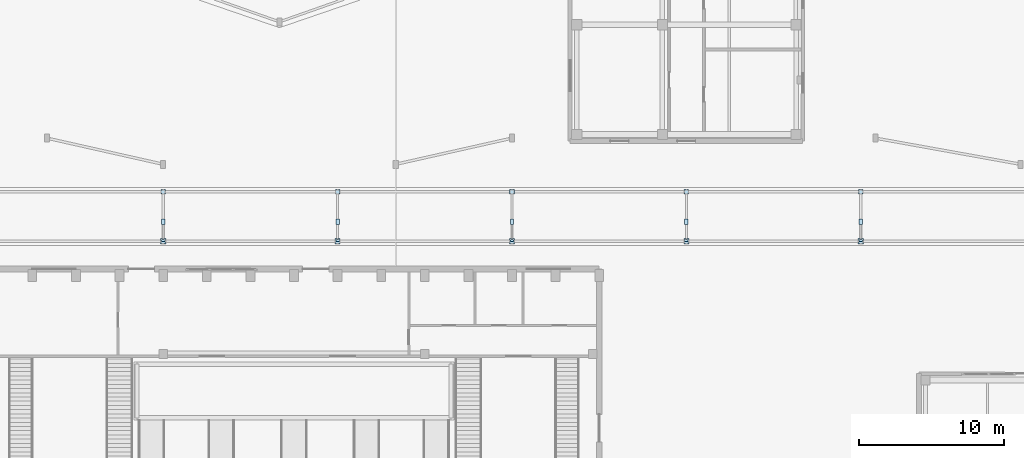
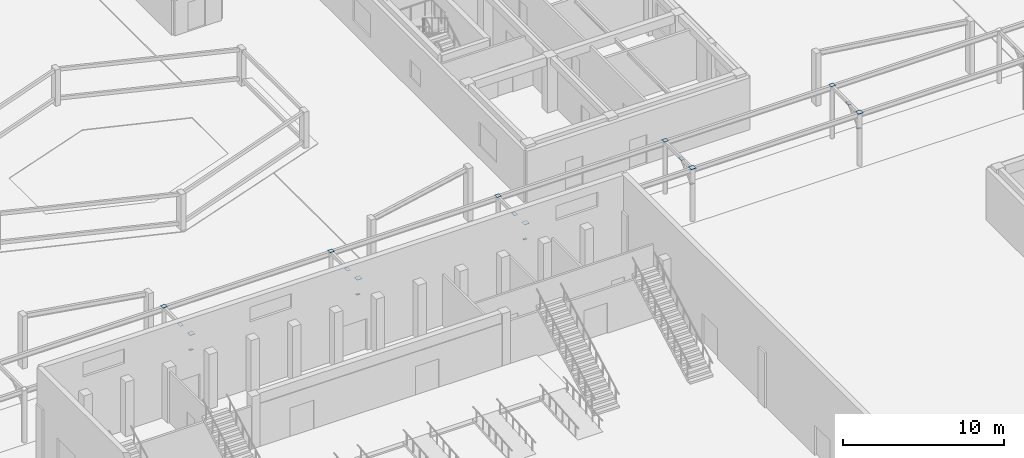
# One storey, part 69 of 114: 20 plates.
"""IFC4 building model written with IfcOpenShell, lengths in metres."""

from ifc_helpers import new_model, si_unit, direction, frame, origin, origin_2d, place, context, subcontext, project, spatial, rectangle, extrude, material, layer, layer_set, type_object, element, save


model = new_model("IFC4")

# Units and contexts
model_context = context("Model", 3, precision=1e-05, world=origin(), true_north=direction((0.0, 1.0)))
body_context = subcontext(model_context, "Body", "Model", "MODEL_VIEW")
ifc_project = project(units=[si_unit("LENGTHUNIT", "METRE"), si_unit("AREAUNIT", "SQUARE_METRE"), si_unit("VOLUMEUNIT", "CUBIC_METRE"), si_unit("PLANEANGLEUNIT", "RADIAN"), si_unit("MASSUNIT", "GRAM", prefix="KILO")], contexts=[model_context])

# Site, building, storey
site_placement = place(None, origin())
site = spatial("IfcSite", under=ifc_project, at=site_placement, CompositionType="ELEMENT")
building_placement = place(site_placement, origin())
building = spatial("IfcBuilding", under=site, at=building_placement, Name="Keldmere Railside Commons", CompositionType="ELEMENT")
storey_placement = place(building_placement, origin())
storey = spatial("IfcBuildingStorey", under=building, at=storey_placement, Name="L00", CompositionType="ELEMENT", Elevation=0.0)

# Plates
ifc_material = material(Name="Steel F-36 (S355)", Category="steel")
ifc_layer_1 = layer(ifc_material, 0.02001953125, Name="Canopy CHS273 Cap Plate 310x310x20")
ifc_layer_set_1 = layer_set([ifc_layer_1], Name="Steel F-36 (S355)")
plate_type_1 = type_object("IfcPlateType", Name="Canopy CHS273 Cap Plate 310x310x20", PredefinedType="SHEET", material=ifc_layer_set_1)
for number, where, z_axis, x_axis, name in (
    (1, (76.0, 52.5, 3.989990234375), (0.0, 0.0, 1.0), (1.0, 0.0, 0.0), "CP-2 CP-0740"),
    (2, (88.0, 52.5, 3.989990234375), (0.0, 0.0, 1.0), (1.0, 0.0, 0.0), "CP-2 CP-0796"),
    (3, (100.0, 52.5, 3.989990234375), (0.0, 0.0, 1.0), (1.0, 0.0, 0.0), "CP-2 CP-0875"),
    (4, (112.0, 52.5, 3.989990234375), (0.0, 0.0, 1.0), (1.0, 0.0, 0.0), "CP-2 CP-1094"),
    (5, (124.0, 52.5, 3.989990234375), (0.0, 0.0, 1.0), (1.0, 0.0, 0.0), "CP-2 CP-1272"),
):
    element("IfcPlate", number, at=place(storey_placement, frame(where, z_axis=z_axis, x_axis=x_axis)), inside=storey, type_object=plate_type_1, Name=name, PredefinedType="SHEET", context=body_context, shape_type="SweptSolid", body=[
        extrude(rectangle(XDim=0.31005859375, YDim=0.31005859375, at=origin_2d()), origin(), (0.0, 0.0, 1.0), 0.02001953125),
    ])
ifc_layer_2 = layer(ifc_material, 0.01806640625, Name="Canopy Node Gusset Plate 380x240x18")
ifc_layer_set_2 = layer_set([ifc_layer_2], Name="Steel F-36 (S355)")
plate_type_2 = type_object("IfcPlateType", Name="Canopy Node Gusset Plate 380x240x18", PredefinedType="USERDEFINED", material=ifc_layer_set_2)
for number, where, z_axis, x_axis, name in (
    (6, (76.0, 50.449951171875, 3.85107421875), (0.0, 0.0, 1.0), (0.0, 1.0, 0.0), "NP-4 Canopy Gusset 6"),
    (7, (88.0, 50.449951171875, 3.85107421875), (0.0, 0.0, 1.0), (0.0, 1.0, 0.0), "NP-4 Canopy Gusset 7"),
    (8, (100.0, 50.449951171875, 3.85107421875), (0.0, 0.0, 1.0), (0.0, 1.0, 0.0), "NP-4 Canopy Gusset 8"),
    (9, (112.0, 50.449951171875, 3.85107421875), (0.0, 0.0, 1.0), (0.0, 1.0, 0.0), "NP-4 Canopy Gusset 9"),
    (10, (124.0, 50.449951171875, 3.85107421875), (0.0, 0.0, 1.0), (0.0, 1.0, 0.0), "NP-4 Canopy Gusset 10"),
):
    element("IfcPlate", number, at=place(storey_placement, frame(where, z_axis=z_axis, x_axis=x_axis)), inside=storey, type_object=plate_type_2, Name=name, ObjectType="GUSSET_PLATE", PredefinedType="USERDEFINED", context=body_context, shape_type="SweptSolid", body=[
        extrude(rectangle(XDim=0.3798828125, YDim=0.239990234375, at=origin_2d()), origin(), (0.0, 0.0, 1.0), 0.01806640625),
    ])
ifc_layer_3 = layer(ifc_material, 0.02392578125, Name="Colonnade CHS324 Cap Plate 360x360x24")
ifc_layer_set_3 = layer_set([ifc_layer_3], Name="Steel F-36 (S355)")
plate_type_3 = type_object("IfcPlateType", Name="Colonnade CHS324 Cap Plate 360x360x24", PredefinedType="SHEET", material=ifc_layer_set_3)
for number, where, z_axis, x_axis, name in (
    (11, (76.0, 49.10009765625, 3.986083984375), (0.0, 0.0, 1.0), (1.0, 0.0, 0.0), "CP-1 CP-0738"),
    (12, (88.0, 49.10009765625, 3.986083984375), (0.0, 0.0, 1.0), (1.0, 0.0, 0.0), "CP-1 CP-0794"),
    (13, (100.0, 49.10009765625, 3.986083984375), (0.0, 0.0, 1.0), (1.0, 0.0, 0.0), "CP-1 CP-0873"),
    (14, (112.0, 49.10009765625, 3.986083984375), (0.0, 0.0, 1.0), (1.0, 0.0, 0.0), "CP-1 CP-1092"),
    (15, (124.0, 49.10009765625, 3.986083984375), (0.0, 0.0, 1.0), (1.0, 0.0, 0.0), "CP-1 CP-1270"),
):
    element("IfcPlate", number, at=place(storey_placement, frame(where, z_axis=z_axis, x_axis=x_axis)), inside=storey, type_object=plate_type_3, Name=name, PredefinedType="SHEET", context=body_context, shape_type="SweptSolid", body=[
        extrude(rectangle(XDim=0.360107421875, YDim=0.360107421875, at=origin_2d()), origin(), (0.0, 0.0, 1.0), 0.02392578125),
    ])
ifc_layer_4 = layer(ifc_material, 0.01611328125, Name="Strut End Cap Plate 240x160x16")
ifc_layer_set_4 = layer_set([ifc_layer_4], Name="Steel F-36 (S355)")
plate_type_4 = type_object("IfcPlateType", Name="Strut End Cap Plate 240x160x16", PredefinedType="SHEET", material=ifc_layer_set_4)
for number, where, z_axis, x_axis, name in (
    (16, (76.0, 49.159912109375, 2.741943359375), (0.0, 0.0, 1.0), (1.0, 0.0, 0.0), "CP-3 Strut Cap 6"),
    (17, (88.0, 49.159912109375, 2.741943359375), (0.0, 0.0, 1.0), (1.0, 0.0, 0.0), "CP-3 Strut Cap 7"),
    (18, (100.0, 49.159912109375, 2.741943359375), (0.0, 0.0, 1.0), (1.0, 0.0, 0.0), "CP-3 Strut Cap 8"),
    (19, (112.0, 49.159912109375, 2.741943359375), (0.0, 0.0, 1.0), (1.0, 0.0, 0.0), "CP-3 Strut Cap 9"),
    (20, (124.0, 49.159912109375, 2.741943359375), (0.0, 0.0, 1.0), (1.0, 0.0, 0.0), "CP-3 Strut Cap 10"),
):
    element("IfcPlate", number, at=place(storey_placement, frame(where, z_axis=z_axis, x_axis=x_axis)), inside=storey, type_object=plate_type_4, Name=name, PredefinedType="SHEET", context=body_context, shape_type="SweptSolid", body=[
        extrude(rectangle(XDim=0.239990234375, YDim=0.159912109375, at=origin_2d()), origin(), (0.0, 0.0, 1.0), 0.01611328125),
    ])

save(model, "model.ifc")
